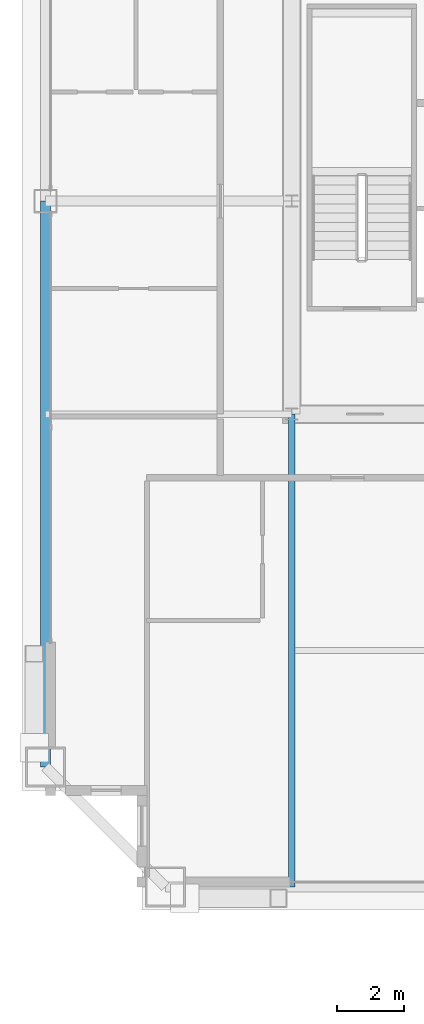
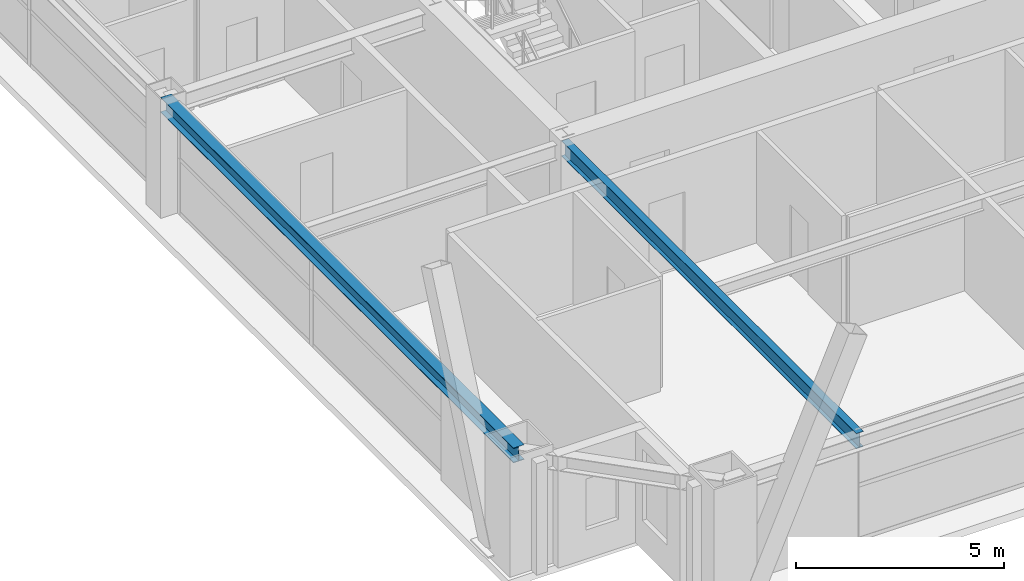
# One storey, part 7 of 35: 2 beams.
"""IFC4 building model written with IfcOpenShell, lengths in metres."""

from ifc_helpers import new_model, si_unit, direction, frame, origin, origin_2d, place, context, subcontext, project, spatial, i_section, extrude, source, transform, mapped, material, material_profile, profile_set, type_object, element, save


model = new_model("IFC4")

# Units and contexts
model_context = context("Model", 3, precision=1e-05, world=origin(), true_north=direction((0.0, 1.0)))
body_context = subcontext(model_context, "Body", "Model", "MODEL_VIEW")
ifc_project = project(units=[si_unit("LENGTHUNIT", "METRE"), si_unit("AREAUNIT", "SQUARE_METRE"), si_unit("VOLUMEUNIT", "CUBIC_METRE"), si_unit("PLANEANGLEUNIT", "RADIAN"), si_unit("MASSUNIT", "GRAM", prefix="KILO"), si_unit("THERMODYNAMICTEMPERATUREUNIT", "KELVIN"), si_unit("POWERUNIT", "WATT")], contexts=[model_context])

# Site, building, storey
site_placement = place(None, origin())
site = spatial("IfcSite", under=ifc_project, at=site_placement, CompositionType="ELEMENT")
building_placement = place(site_placement, origin())
building = spatial("IfcBuilding", under=site, at=building_placement, Name="Yuzanri Waterfront Tower", CompositionType="ELEMENT")
storey_placement = place(building_placement, frame((0.0, 0.0, 271.60009765625)))
storey = spatial("IfcBuildingStorey", under=building, at=storey_placement, Name="L72", CompositionType="ELEMENT", Elevation=271.60009765625)

# Beams
ifc_material_1 = material(Name="Steel Q355B", Category="steel")
ifc_material_profile_1 = material_profile(ifc_material_1, i_section(OverallWidth=0.300048828125, OverallDepth=0.43994140625, WebThickness=0.010986328125, FlangeThickness=0.01806640625, at=origin_2d()), Name="HM 440x300x11x18")
ifc_profile_set_1 = profile_set([ifc_material_profile_1], Name="Steel Q355B")
beam_type_1 = type_object("IfcBeamType", Name="Perimeter Spandrel Q355B HM 440x300", PredefinedType="SPANDREL", material=ifc_profile_set_1)
shared_shape_1 = source(origin(), body_context, "Body", "SweptSolid", [
    extrude(i_section(OverallWidth=0.300048828125, OverallDepth=0.43994140625, WebThickness=0.010986328125, FlangeThickness=0.01806640625, at=origin_2d()), origin(), (0.0, 0.0, 1.0), 17.0),
])
beam_1_placement = place(storey_placement, frame((16.39990234375, 25.800048828125, 3.059814453125), z_axis=(0.0, -1.0, 0.0), x_axis=(1.0, 0.0, 0.0)))
element("IfcBeam", 1, at=beam_1_placement, inside=storey, type_object=beam_type_1, Name="L72 Perimeter Spandrel W2-W1", PredefinedType="SPANDREL", context=body_context, shape_type="MappedRepresentation", body=[
    mapped(shared_shape_1, transform((0.0, 0.0, 0.0), scale=1.0)),
])
ifc_material_2 = material(Name="Steel Q355B", Category="steel")
ifc_material_profile_2 = material_profile(ifc_material_2, i_section(OverallWidth=0.199951171875, OverallDepth=0.449951171875, WebThickness=0.009033203125, FlangeThickness=0.013916015625, at=origin_2d()), Name="HN 450x200x9x14")
ifc_profile_set_2 = profile_set([ifc_material_profile_2], Name="Steel Q355B")
beam_type_2 = type_object("IfcBeamType", Name="Secondary Floor Beam Q355B HN 450x200", PredefinedType="BEAM", material=ifc_profile_set_2)
shared_shape_2 = source(origin(), body_context, "Body", "SweptSolid", [
    extrude(i_section(OverallWidth=0.199951171875, OverallDepth=0.449951171875, WebThickness=0.009033203125, FlangeThickness=0.013916015625, at=origin_2d()), origin(), (0.0, 0.0, 1.0), 14.199951171875),
])
beam_2_placement = place(storey_placement, frame((23.800048828125, 19.39990234375, 3.054931640625), z_axis=(0.0, -1.0, 0.0), x_axis=(1.0, 0.0, 0.0)))
element("IfcBeam", 2, at=beam_2_placement, inside=storey, type_object=beam_type_2, Name="L72 South-West Core Line Beam", PredefinedType="BEAM", context=body_context, shape_type="MappedRepresentation", body=[
    mapped(shared_shape_2, transform((0.0, 0.0, 0.0), scale=1.0)),
])

save(model, "model.ifc")
